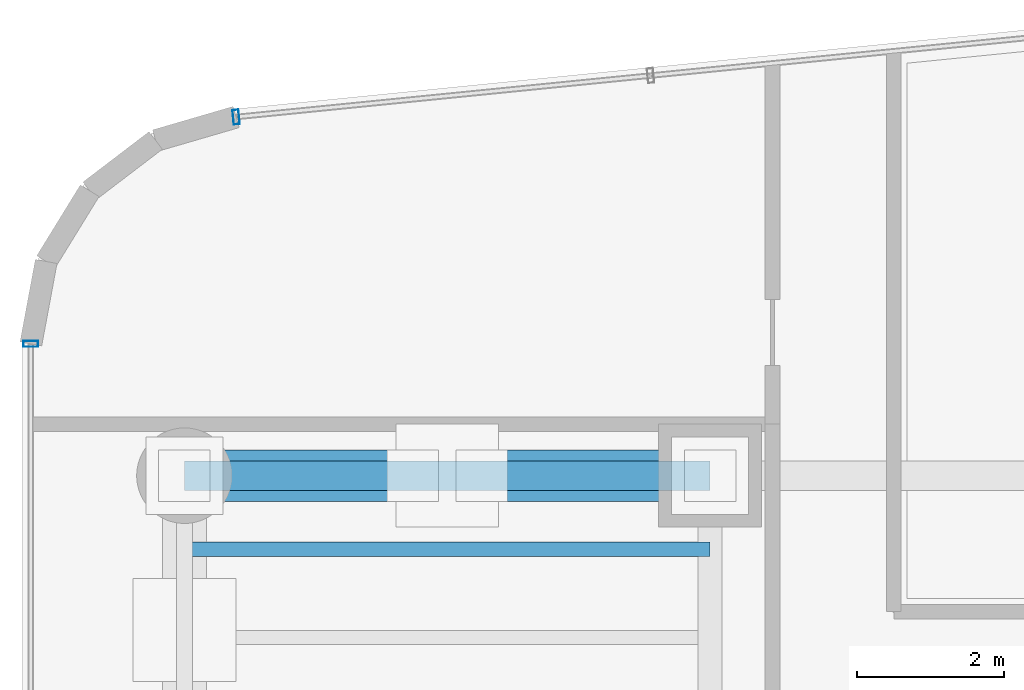
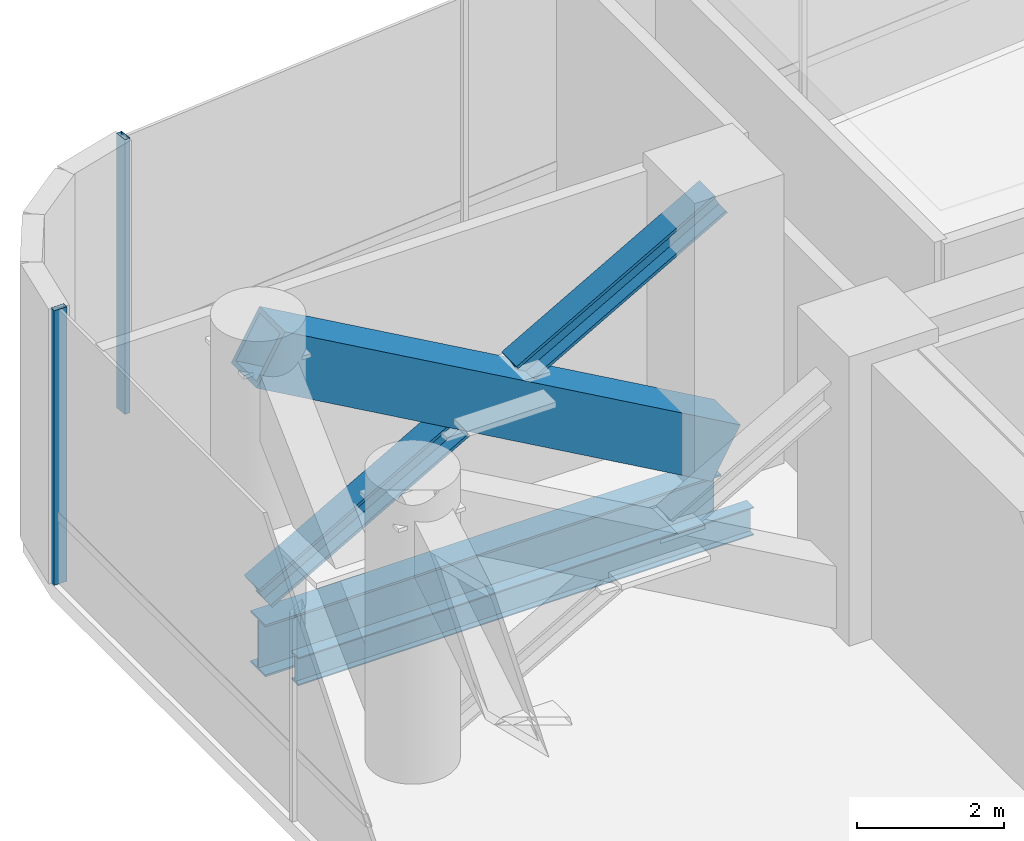
# One storey, part 22 of 39: 5 members, 2 beams, 2 elements without a shape of their own.
"""IFC4 building model written with IfcOpenShell, lengths in metres."""

from ifc_helpers import new_model, si_unit, direction, frame, origin, origin_2d, place, context, subcontext, project, spatial, hollow_rectangle, i_section, extrude, source, transform, mapped, material, material_profile, profile_set, type_object, element, aggregate, save


model = new_model("IFC4")

# Units and contexts
model_context = context("Model", 3, precision=1e-05, world=origin(), true_north=direction((0.0, 1.0)))
body_context = subcontext(model_context, "Body", "Model", "MODEL_VIEW")
ifc_project = project(units=[si_unit("LENGTHUNIT", "METRE"), si_unit("AREAUNIT", "SQUARE_METRE"), si_unit("VOLUMEUNIT", "CUBIC_METRE"), si_unit("PLANEANGLEUNIT", "RADIAN"), si_unit("MASSUNIT", "GRAM", prefix="KILO")], contexts=[model_context])

# Site, building, storey
site_placement = place(None, origin())
site = spatial("IfcSite", under=ifc_project, at=site_placement, CompositionType="ELEMENT")
building_placement = place(site_placement, origin())
building = spatial("IfcBuilding", under=site, at=building_placement, Name="Valdorenza Pilgrim Sanctuary Tower", CompositionType="ELEMENT")
storey_placement = place(building_placement, frame((0.0, 0.0, 96.300048828125)))
storey = spatial("IfcBuildingStorey", under=building, at=storey_placement, Name="L24", CompositionType="ELEMENT", Elevation=96.300048828125)

# Beams
ifc_material_1 = material(Name="Steel ASTM A992 Grade 50", Category="steel")
ifc_material_profile_1 = material_profile(ifc_material_1, i_section(OverallWidth=0.193115234375, OverallDepth=0.466064453125, WebThickness=0.011474609375, FlangeThickness=0.01904296875, at=origin_2d()), Name="W18X65")
ifc_profile_set_1 = profile_set([ifc_material_profile_1], Name="Steel ASTM A992 Grade 50")
beam_type_1 = type_object("IfcBeamType", Name="STR-BM-JST-W18A", PredefinedType="JOIST", material=ifc_profile_set_1)
shared_shape_1 = source(origin(), body_context, "Body", "SweptSolid", [
    extrude(i_section(OverallWidth=0.193115234375, OverallDepth=0.466064453125, WebThickness=0.011474609375, FlangeThickness=0.01904296875, at=origin_2d()), origin(), (0.0, 0.0, 1.0), 7.150146484375),
])
beam_1_placement = place(storey_placement, frame((-29.800048828125, 13.800048828125, -0.47314453125), z_axis=(1.0, 0.0, 0.0), x_axis=(0.0, 1.0, 0.0)))
element("IfcBeam", 1, at=beam_1_placement, inside=storey, type_object=beam_type_1, Name="L24 Composite Floor Joist JST-WA-26", PredefinedType="JOIST", context=body_context, shape_type="MappedRepresentation", body=[
    mapped(shared_shape_1, transform((0.0, 0.0, 0.0), x_axis=(1.0, 0.0, 0.0), y_axis=(0.0, 1.0, 0.0), z_axis=(0.0, 0.0, 1.0), scale=1.0)),
])
ifc_material_profile_2 = material_profile(ifc_material_1, i_section(OverallWidth=0.39990234375, OverallDepth=0.862060546875, WebThickness=0.019775390625, FlangeThickness=0.032470703125, at=origin_2d()), Name="W33X221")
ifc_profile_set_2 = profile_set([ifc_material_profile_2], Name="Steel ASTM A992 Grade 50")
beam_type_2 = type_object("IfcBeamType", Name="STR-BM-GRD-W33", PredefinedType="BEAM", material=ifc_profile_set_2)
shared_shape_2 = source(origin(), body_context, "Body", "SweptSolid", [
    extrude(i_section(OverallWidth=0.39990234375, OverallDepth=0.862060546875, WebThickness=0.019775390625, FlangeThickness=0.032470703125, at=origin_2d()), origin(), (0.0, 0.0, 1.0), 7.150146484375),
])
beam_2_placement = place(storey_placement, frame((-29.800048828125, 14.800048828125, -0.671142578125), z_axis=(1.0, 0.0, 0.0), x_axis=(0.0, 1.0, 0.0)))
element("IfcBeam", 2, at=beam_2_placement, inside=storey, type_object=beam_type_2, Name="L24 Floor Girder WA-XW-N2", PredefinedType="BEAM", context=body_context, shape_type="MappedRepresentation", body=[
    mapped(shared_shape_2, transform((0.0, 0.0, 0.0), x_axis=(1.0, 0.0, 0.0), y_axis=(0.0, 1.0, 0.0), z_axis=(0.0, 0.0, 1.0), scale=1.0)),
])

# Members
ifc_material_2 = material(Name="Steel ASTM A572 Grade 42", Category="steel")
ifc_material_profile_3 = material_profile(ifc_material_2, hollow_rectangle(XDim=0.699951171875, YDim=0.89990234375, WallThickness=0.070068359375, at=origin_2d()), Name="BOX 900x700x70")
ifc_profile_set_3 = profile_set([ifc_material_profile_3], Name="Steel ASTM A572 Grade 42")
member_type_1 = type_object("IfcMemberType", Name="STR-MB-OUT-BOX900", PredefinedType="BRACE", material=ifc_profile_set_3)
shared_shape_3 = source(origin(), body_context, "Body", "SweptSolid", [
    extrude(hollow_rectangle(XDim=0.699951171875, YDim=0.89990234375, WallThickness=0.070068359375, at=origin_2d()), origin(), (0.0, 0.0, 1.0), 8.217529296875),
])
member_1_placement = place(storey_placement, frame((-22.64990234375, 14.800048828125, 0.199951171875), z_axis=(-0.870110951325, 0.0, 0.492855894135), x_axis=(0.0, -1.0, 0.0)))
element("IfcMember", 3, at=member_1_placement, inside=storey, type_object=member_type_1, Name="L24 Outrigger Truss Diagonal WA4A", PredefinedType="BRACE", context=body_context, shape_type="MappedRepresentation", body=[
    mapped(shared_shape_3, transform((0.0, 0.0, 0.0), x_axis=(1.0, 0.0, 0.0), y_axis=(0.0, 1.0, 0.0), z_axis=(0.0, 0.0, 1.0), scale=1.0)),
])
ifc_material_profile_4 = material_profile(ifc_material_1, i_section(OverallWidth=0.406005859375, OverallDepth=0.416015625, WebThickness=0.02978515625, FlangeThickness=0.048095703125, at=origin_2d()), Name="W14X257")
ifc_profile_set_4 = profile_set([ifc_material_profile_4], Name="Steel ASTM A992 Grade 50")
member_type_2 = type_object("IfcMemberType", Name="STR-MB-OUT-W257", PredefinedType="BRACE", material=ifc_profile_set_4)
shared_shape_4 = source(origin(), body_context, "Body", "SweptSolid", [
    extrude(i_section(OverallWidth=0.406005859375, OverallDepth=0.416015625, WebThickness=0.02978515625, FlangeThickness=0.048095703125, at=origin_2d()), origin(), (0.0, 0.0, 1.0), 3.572021484375),
])
for number, where, z_axis, x_axis, name in (
    (4, (-22.64990234375, 14.800048828125, 4.25), (-0.87011695789, 0.0, -0.492845289714), (0.0, -1.0, 0.0), "L24 Outrigger Truss Counter-Diagonal WA4B Lower Segment"),
    (5, (-26.69189453125, 14.800048828125, 1.96044921875), (-0.87011695789, 0.0, -0.492845289714), (0.0, -1.0, 0.0), "L24 Outrigger Truss Counter-Diagonal WA4B Upper Segment"),
):
    element("IfcMember", number, at=place(storey_placement, frame(where, z_axis=z_axis, x_axis=x_axis)), inside=storey, type_object=member_type_2, Name=name, PredefinedType="BRACE", context=body_context, shape_type="MappedRepresentation", body=[
        mapped(shared_shape_4, transform((0.0, 0.0, 0.0), x_axis=(1.0, 0.0, 0.0), y_axis=(0.0, 1.0, 0.0), z_axis=(0.0, 0.0, 1.0), scale=1.0)),
    ])

# Curtain wall, member
ifc_material_3 = material(Name="Curtain-wall IGU glazing", Category="glass")
curtain_wall_type = type_object("IfcCurtainWallType", Name="CW-SYS-02", PredefinedType="NOTDEFINED", material=ifc_material_3)
curtain_wall_1_placement = place(storey_placement, origin())
curtain_wall_1 = element("IfcCurtainWall", 6, at=curtain_wall_1_placement, inside=storey, type_object=curtain_wall_type, Name="L24 Curtain Wall CW-L24-1-1", PredefinedType="NOTDEFINED")
ifc_material_4 = material(Name="Anodised aluminium AW-6060", Category="aluminium")
ifc_material_profile_5 = material_profile(ifc_material_4, hollow_rectangle(XDim=0.0849609375, YDim=0.199951171875, WallThickness=0.0048828125, at=origin_2d()), Name="ALU-M 200x85x5")
ifc_profile_set_5 = profile_set([ifc_material_profile_5], Name="Anodised aluminium AW-6060")
member_type_3 = type_object("IfcMemberType", Name="CW-MUL-02", PredefinedType="MULLION", material=ifc_profile_set_5)
shared_shape_5 = source(origin(), body_context, "Body", "SweptSolid", [
    extrude(hollow_rectangle(XDim=0.0849609375, YDim=0.199951171875, WallThickness=0.0048828125, at=origin_2d()), origin(), (0.0, 0.0, 1.0), 4.56005859375),
])
member_2_placement = place(storey_placement, frame((-31.889892578125, 16.593994140625, 0.0), z_axis=(0.0, 0.0, 1.0), x_axis=(0.0, 1.0, 0.0)))
member_2 = element("IfcMember", 7, at=member_2_placement, type_object=member_type_3, Name="CW-L24-1-1 Mullion 6", PredefinedType="MULLION", context=body_context, shape_type="MappedRepresentation", body=[
    mapped(shared_shape_5, transform((0.0, 0.0, 0.0), x_axis=(1.0, 0.0, 0.0), y_axis=(0.0, 1.0, 0.0), z_axis=(0.0, 0.0, 1.0), scale=1.0)),
])
aggregate(curtain_wall_1, [member_2])

curtain_wall_2_placement = place(storey_placement, origin())
curtain_wall_2 = element("IfcCurtainWall", 8, at=curtain_wall_2_placement, inside=storey, type_object=curtain_wall_type, Name="L24 Curtain Wall CW-L24-1-6", PredefinedType="NOTDEFINED")
member_3_placement = place(storey_placement, frame((-29.097412109375, 19.6796875, 0.0), z_axis=(0.0, 0.0, 1.0), x_axis=(0.995038220239, 0.099493418189, 0.0)))
member_3 = element("IfcMember", 9, at=member_3_placement, type_object=member_type_3, Name="CW-L24-1-6 Mullion 1", PredefinedType="MULLION", context=body_context, shape_type="MappedRepresentation", body=[
    mapped(shared_shape_5, transform((0.0, 0.0, 0.0), x_axis=(1.0, 0.0, 0.0), y_axis=(0.0, 1.0, 0.0), z_axis=(0.0, 0.0, 1.0), scale=1.0)),
])
aggregate(curtain_wall_2, [member_3])

save(model, "model.ifc")
